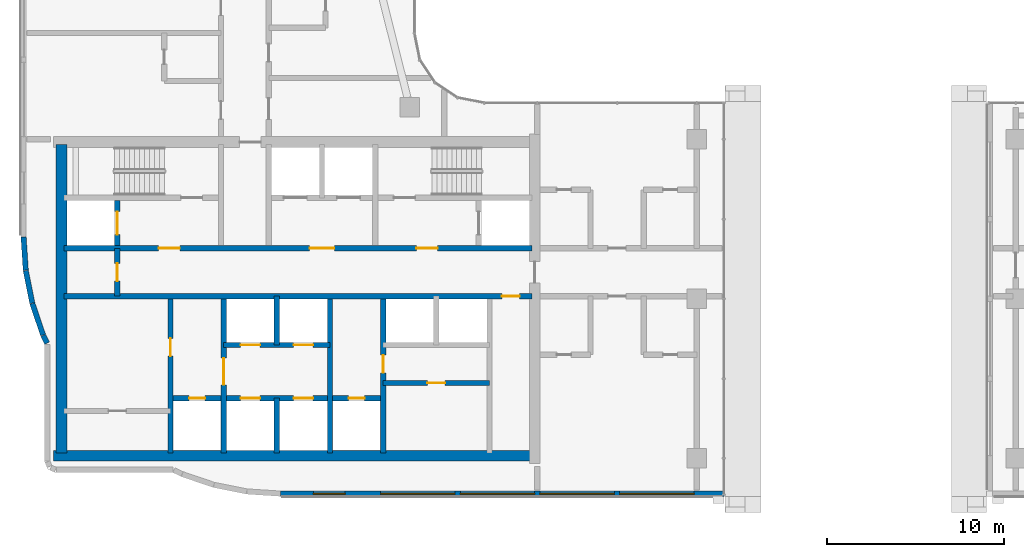
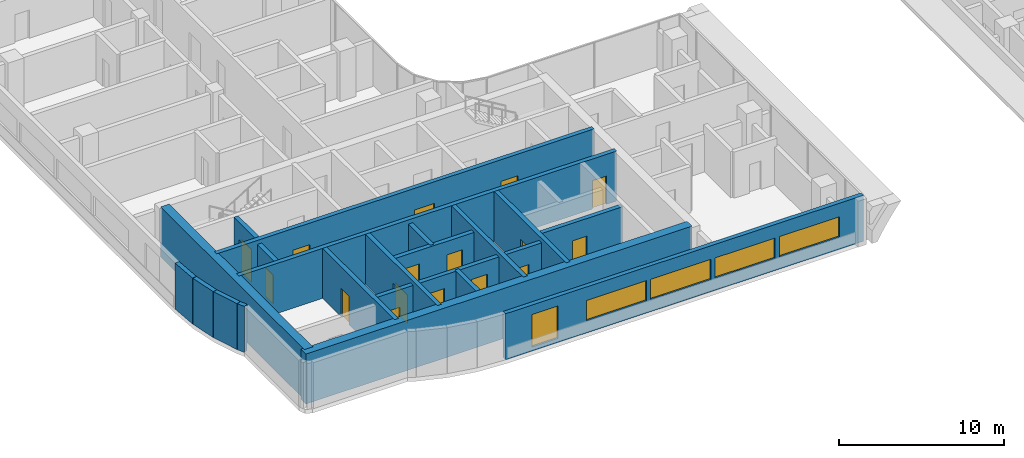
# One storey, part 10 of 23: 20 walls, 16 doors, 5 windows, 21 openings.
"""IFC4 building model written with IfcOpenShell, lengths in metres."""

from ifc_helpers import new_model, si_unit, direction, frame, frame_2d, origin, place, context, subcontext, project, spatial, rectangle, extrude, material, layer, layer_set, type_object, element, fill, save


model = new_model("IFC4")

# Units and contexts
model_context = context("Model", 3, precision=1e-05, world=origin(), true_north=direction((0.0, 1.0)))
body_context = subcontext(model_context, "Body", "Model", "MODEL_VIEW")
ifc_project = project(units=[si_unit("LENGTHUNIT", "METRE"), si_unit("AREAUNIT", "SQUARE_METRE"), si_unit("VOLUMEUNIT", "CUBIC_METRE"), si_unit("PLANEANGLEUNIT", "RADIAN"), si_unit("MASSUNIT", "GRAM", prefix="KILO")], contexts=[model_context])

# Site, building, storey
site_placement = place(None, origin())
site = spatial("IfcSite", under=ifc_project, at=site_placement, CompositionType="ELEMENT")
building_placement = place(site_placement, origin())
building = spatial("IfcBuilding", under=site, at=building_placement, Name="Ogive Portal Towers", CompositionType="ELEMENT")
storey_placement = place(building_placement, frame((0.0, 0.0, 175.5)))
storey = spatial("IfcBuildingStorey", under=building, at=storey_placement, Name="L43", CompositionType="ELEMENT", Elevation=175.5)

# Wall, opening, door
ifc_material_1 = material(Name="Concrete C60/75", Category="concrete")
ifc_layer_1 = layer(ifc_material_1, 0.300048828125)
ifc_layer_set_1 = layer_set([ifc_layer_1], Name="CORE WALL 300 C60")
wall_type_1 = type_object("IfcWallType", Name="CORE WALL 300 C60", PredefinedType="SHEAR", material=ifc_layer_set_1)
wall_1_placement = place(storey_placement, frame((37.800048828125, 21.800048828125, 0.0), z_axis=(0.0, 0.0, 1.0), x_axis=(0.0, 1.0, 0.0)))
wall_1 = element("IfcWall", 1, at=wall_1_placement, inside=storey, type_object=wall_type_1, Name="Core wall X1 L43", PredefinedType="SHEAR", context=body_context, shape_type="SweptSolid", body=[
    extrude(rectangle(XDim=8.699951171875, YDim=0.300048828125, at=frame_2d((4.35009765625, 0.0))), origin(), (0.0, 0.0, 1.0), 3.699951171875),
])
opening_1_placement = place(wall_1_placement, frame((5.47509765625, 0.0, 0.0)))
opening_1 = element("IfcOpeningElement", 2, at=opening_1_placement, cuts=wall_1, Name="Opening D18-020", PredefinedType="OPENING", context=body_context, shape_type="SweptSolid", body=[
    extrude(rectangle(XDim=1.0, YDim=2.10009765625, at=frame_2d((0.5, 1.050048828125))), frame((0.0, 0.16015625, 0.0), z_axis=(0.0, -1.0, 0.0), x_axis=(1.0, 0.0, 0.0)), (0.0, 0.0, 1.0), 0.320068359375),
])
ifc_material_2 = material(Name="Steel fire door", Category="steel")
door_type_1 = type_object("IfcDoorType", Name="DT-SWING-1000x2100-FD90S", OperationType="SINGLE_SWING_LEFT", PredefinedType="DOOR", material=ifc_material_2)
door_1_placement = place(opening_1_placement, origin())
door_1 = element("IfcDoor", 3, at=door_1_placement, inside=storey, type_object=door_type_1, Name="Door D18-020", OperationType="SINGLE_SWING_LEFT", OverallHeight=2.10009765625, OverallWidth=1.0, PredefinedType="DOOR", context=body_context, shape_type="SweptSolid", body=[
    extrude(rectangle(XDim=1.0, YDim=2.10009765625, at=frame_2d((0.5, 1.050048828125))), frame((0.0, 0.02490234375, 0.0), z_axis=(0.0, -1.0, 0.0), x_axis=(1.0, 0.0, 0.0)), (0.0, 0.0, 1.0), 0.050048828125),
])
fill(opening_1, door_1)

wall_2_placement = place(storey_placement, frame((40.800048828125, 21.800048828125, 0.0), z_axis=(0.0, 0.0, 1.0), x_axis=(0.0, 1.0, 0.0)))
wall_2 = element("IfcWall", 4, at=wall_2_placement, inside=storey, type_object=wall_type_1, Name="Core wall X2 L43", PredefinedType="SHEAR", context=body_context, shape_type="SweptSolid", body=[
    extrude(rectangle(XDim=8.699951171875, YDim=0.300048828125, at=frame_2d((4.35009765625, 0.0))), origin(), (0.0, 0.0, 1.0), 3.699951171875),
])
opening_2_placement = place(wall_2_placement, frame((3.85009765625, 0.0, 0.0)))
opening_2 = element("IfcOpeningElement", 5, at=opening_2_placement, cuts=wall_2, Name="Opening D18-001", PredefinedType="OPENING", context=body_context, shape_type="SweptSolid", body=[
    extrude(rectangle(XDim=1.5, YDim=2.10009765625, at=frame_2d((0.75, 1.050048828125))), frame((0.0, 0.16015625, 0.0), z_axis=(0.0, -1.0, 0.0), x_axis=(1.0, 0.0, 0.0)), (0.0, 0.0, 1.0), 0.320068359375),
])
door_type_2 = type_object("IfcDoorType", Name="DT-SWING-1500x2100-FD90S", OperationType="SINGLE_SWING_LEFT", PredefinedType="DOOR", material=ifc_material_2)
door_2_placement = place(opening_2_placement, origin())
door_2 = element("IfcDoor", 6, at=door_2_placement, inside=storey, type_object=door_type_2, Name="Door D18-001", OperationType="SINGLE_SWING_RIGHT", OverallHeight=2.10009765625, OverallWidth=1.5, PredefinedType="DOOR", context=body_context, shape_type="SweptSolid", body=[
    extrude(rectangle(XDim=1.5, YDim=2.10009765625, at=frame_2d((0.75, 1.050048828125))), frame((0.0, 0.02490234375, 0.0), z_axis=(0.0, -1.0, 0.0), x_axis=(1.0, 0.0, 0.0)), (0.0, 0.0, 1.0), 0.050048828125),
])
fill(opening_2, door_2)

# Wall
wall_3_placement = place(storey_placement, frame((46.800048828125, 21.800048828125, 0.0), z_axis=(0.0, 0.0, 1.0), x_axis=(0.0, 1.0, 0.0)))
element("IfcWall", 7, at=wall_3_placement, inside=storey, type_object=wall_type_1, Name="Core wall X3 L43", PredefinedType="SHEAR", context=body_context, shape_type="SweptSolid", body=[
    extrude(rectangle(XDim=8.699951171875, YDim=0.300048828125, at=frame_2d((4.35009765625, 0.0))), origin(), (0.0, 0.0, 1.0), 3.699951171875),
])

# Wall, opening, door
wall_4_placement = place(storey_placement, frame((49.800048828125, 21.800048828125, 0.0), z_axis=(0.0, 0.0, 1.0), x_axis=(0.0, 1.0, 0.0)))
wall_4 = element("IfcWall", 8, at=wall_4_placement, inside=storey, type_object=wall_type_1, Name="Core wall X4 L43", PredefinedType="SHEAR", context=body_context, shape_type="SweptSolid", body=[
    extrude(rectangle(XDim=8.699951171875, YDim=0.300048828125, at=frame_2d((4.35009765625, 0.0))), origin(), (0.0, 0.0, 1.0), 3.699951171875),
])
opening_3_placement = place(wall_4_placement, frame((4.52490234375, 0.0, 0.0)))
opening_3 = element("IfcOpeningElement", 9, at=opening_3_placement, cuts=wall_4, Name="Opening D18-022", PredefinedType="OPENING", context=body_context, shape_type="SweptSolid", body=[
    extrude(rectangle(XDim=1.0, YDim=2.10009765625, at=frame_2d((0.5, 1.050048828125))), frame((0.0, 0.16015625, 0.0), z_axis=(0.0, -1.0, 0.0), x_axis=(1.0, 0.0, 0.0)), (0.0, 0.0, 1.0), 0.320068359375),
])
door_3_placement = place(opening_3_placement, origin())
door_3 = element("IfcDoor", 10, at=door_3_placement, inside=storey, type_object=door_type_1, Name="Door D18-022", OperationType="SINGLE_SWING_LEFT", OverallHeight=2.10009765625, OverallWidth=1.0, PredefinedType="DOOR", context=body_context, shape_type="SweptSolid", body=[
    extrude(rectangle(XDim=1.0, YDim=2.10009765625, at=frame_2d((0.5, 1.050048828125))), frame((0.0, 0.02490234375, 0.0), z_axis=(0.0, -1.0, 0.0), x_axis=(1.0, 0.0, 0.0)), (0.0, 0.0, 1.0), 0.050048828125),
])
fill(opening_3, door_3)

wall_5_placement = place(storey_placement, frame((31.800048828125, 30.64990234375, 0.0), z_axis=(0.0, 0.0, 1.0), x_axis=(1.0, 0.0, 0.0)))
wall_5 = element("IfcWall", 11, at=wall_5_placement, inside=storey, type_object=wall_type_1, Name="Core wall Y1 L43", PredefinedType="SHEAR", context=body_context, shape_type="SweptSolid", body=[
    extrude(rectangle(XDim=26.39990234375, YDim=0.300048828125, at=frame_2d((13.199951171875, 0.0))), origin(), (0.0, 0.0, 1.0), 3.699951171875),
])
opening_4_placement = place(wall_5_placement, frame((24.699951171875, 0.0, 0.0)))
opening_4 = element("IfcOpeningElement", 12, at=opening_4_placement, cuts=wall_5, Name="Opening D18-009", PredefinedType="OPENING", context=body_context, shape_type="SweptSolid", body=[
    extrude(rectangle(XDim=1.0, YDim=2.10009765625, at=frame_2d((0.5, 1.050048828125))), frame((0.0, 0.16015625, 0.0), z_axis=(0.0, -1.0, 0.0), x_axis=(1.0, 0.0, 0.0)), (0.0, 0.0, 1.0), 0.320068359375),
])
door_4_placement = place(opening_4_placement, origin())
door_4 = element("IfcDoor", 13, at=door_4_placement, inside=storey, type_object=door_type_1, Name="Door D18-009", OperationType="SINGLE_SWING_LEFT", OverallHeight=2.10009765625, OverallWidth=1.0, PredefinedType="DOOR", context=body_context, shape_type="SweptSolid", body=[
    extrude(rectangle(XDim=1.0, YDim=2.10009765625, at=frame_2d((0.5, 1.050048828125))), frame((0.0, 0.02490234375, 0.0), z_axis=(0.0, -1.0, 0.0), x_axis=(1.0, 0.0, 0.0)), (0.0, 0.0, 1.0), 0.050048828125),
])
fill(opening_4, door_4)

# Wall, openings, doors
wall_6_placement = place(storey_placement, frame((31.800048828125, 33.35009765625, 0.0), z_axis=(0.0, 0.0, 1.0), x_axis=(1.0, 0.0, 0.0)))
wall_6 = element("IfcWall", 14, at=wall_6_placement, inside=storey, type_object=wall_type_1, Name="Core wall Y2 L43", PredefinedType="SHEAR", context=body_context, shape_type="SweptSolid", body=[
    extrude(rectangle(XDim=26.39990234375, YDim=0.300048828125, at=frame_2d((13.199951171875, 0.0))), origin(), (0.0, 0.0, 1.0), 3.699951171875),
])
opening_5_placement = place(wall_6_placement, frame((13.85009765625, 0.0, 0.0)))
opening_5 = element("IfcOpeningElement", 15, at=opening_5_placement, cuts=wall_6, Name="Opening D18-002", PredefinedType="OPENING", context=body_context, shape_type="SweptSolid", body=[
    extrude(rectangle(XDim=1.39990234375, YDim=2.10009765625, at=frame_2d((0.699951171875, 1.050048828125))), frame((0.0, 0.16015625, 0.0), z_axis=(0.0, -1.0, 0.0), x_axis=(1.0, 0.0, 0.0)), (0.0, 0.0, 1.0), 0.320068359375),
])
opening_6_placement = place(wall_6_placement, frame((5.324951171875, 0.0, 0.0)))
opening_6 = element("IfcOpeningElement", 16, at=opening_6_placement, cuts=wall_6, Name="Opening D18-003", PredefinedType="OPENING", context=body_context, shape_type="SweptSolid", body=[
    extrude(rectangle(XDim=1.199951171875, YDim=2.10009765625, at=frame_2d((0.60009765625, 1.050048828125))), frame((0.0, 0.16015625, 0.0), z_axis=(0.0, -1.0, 0.0), x_axis=(1.0, 0.0, 0.0)), (0.0, 0.0, 1.0), 0.320068359375),
])
opening_7_placement = place(wall_6_placement, frame((19.875, 0.0, 0.0)))
opening_7 = element("IfcOpeningElement", 17, at=opening_7_placement, cuts=wall_6, Name="Opening D18-004", PredefinedType="OPENING", context=body_context, shape_type="SweptSolid", body=[
    extrude(rectangle(XDim=1.199951171875, YDim=2.10009765625, at=frame_2d((0.60009765625, 1.050048828125))), frame((0.0, 0.16015625, 0.0), z_axis=(0.0, -1.0, 0.0), x_axis=(1.0, 0.0, 0.0)), (0.0, 0.0, 1.0), 0.320068359375),
])
door_type_3 = type_object("IfcDoorType", Name="DT-SWING-1200x2100-FD90S", OperationType="SINGLE_SWING_LEFT", PredefinedType="DOOR", material=ifc_material_2)
door_5_placement = place(opening_6_placement, origin())
door_5 = element("IfcDoor", 18, at=door_5_placement, inside=storey, type_object=door_type_3, Name="Door D18-003", OperationType="SINGLE_SWING_LEFT", OverallHeight=2.10009765625, OverallWidth=1.199951171875, PredefinedType="DOOR", context=body_context, shape_type="SweptSolid", body=[
    extrude(rectangle(XDim=1.199951171875, YDim=2.10009765625, at=frame_2d((0.60009765625, 1.050048828125))), frame((0.0, 0.02490234375, 0.0), z_axis=(0.0, -1.0, 0.0), x_axis=(1.0, 0.0, 0.0)), (0.0, 0.0, 1.0), 0.050048828125),
])
fill(opening_6, door_5)
door_6_placement = place(opening_7_placement, origin())
door_6 = element("IfcDoor", 19, at=door_6_placement, inside=storey, type_object=door_type_3, Name="Door D18-004", OperationType="SINGLE_SWING_RIGHT", OverallHeight=2.10009765625, OverallWidth=1.199951171875, PredefinedType="DOOR", context=body_context, shape_type="SweptSolid", body=[
    extrude(rectangle(XDim=1.199951171875, YDim=2.10009765625, at=frame_2d((0.60009765625, 1.050048828125))), frame((0.0, 0.02490234375, 0.0), z_axis=(0.0, -1.0, 0.0), x_axis=(1.0, 0.0, 0.0)), (0.0, 0.0, 1.0), 0.050048828125),
])
fill(opening_7, door_6)
door_type_4 = type_object("IfcDoorType", Name="DT-SWING-1400x2100-FD90S", OperationType="SINGLE_SWING_LEFT", PredefinedType="DOOR", material=ifc_material_2)
door_7_placement = place(opening_5_placement, origin())
door_7 = element("IfcDoor", 20, at=door_7_placement, inside=storey, type_object=door_type_4, Name="Door D18-002", OperationType="SINGLE_SWING_RIGHT", OverallHeight=2.10009765625, OverallWidth=1.39990234375, PredefinedType="DOOR", context=body_context, shape_type="SweptSolid", body=[
    extrude(rectangle(XDim=1.39990234375, YDim=2.10009765625, at=frame_2d((0.699951171875, 1.050048828125))), frame((0.0, 0.02490234375, 0.0), z_axis=(0.0, -1.0, 0.0), x_axis=(1.0, 0.0, 0.0)), (0.0, 0.0, 1.0), 0.050048828125),
])
fill(opening_5, door_7)

# Wall, opening, door
wall_7_placement = place(storey_placement, frame((34.800048828125, 33.5, 0.0), z_axis=(0.0, 0.0, 1.0), x_axis=(0.0, 1.0, 0.0)))
wall_7 = element("IfcWall", 21, at=wall_7_placement, inside=storey, type_object=wall_type_1, Name="Core wall X8 L43", PredefinedType="SHEAR", context=body_context, shape_type="SweptSolid", body=[
    extrude(rectangle(XDim=2.550048828125, YDim=0.300048828125, at=frame_2d((1.27490234375, 0.0))), origin(), (0.0, 0.0, 1.0), 3.699951171875),
])
opening_8_placement = place(wall_7_placement, frame((0.625, 0.0, 0.0)))
opening_8 = element("IfcOpeningElement", 22, at=opening_8_placement, cuts=wall_7, Name="Opening D18-018", PredefinedType="OPENING", context=body_context, shape_type="SweptSolid", body=[
    extrude(rectangle(XDim=1.300048828125, YDim=2.39990234375, at=frame_2d((0.64990234375, 1.199951171875))), frame((0.0, 0.16015625, 0.0), z_axis=(0.0, -1.0, 0.0), x_axis=(1.0, 0.0, 0.0)), (0.0, 0.0, 1.0), 0.320068359375),
])
ifc_material_3 = material(Name="Stainless steel", Category="steel")
door_type_5 = type_object("IfcDoorType", Name="DT-LD-1300x2400", OperationType="SLIDING_TO_LEFT", PredefinedType="DOOR", material=ifc_material_3)
door_8_placement = place(opening_8_placement, origin())
door_8 = element("IfcDoor", 23, at=door_8_placement, inside=storey, type_object=door_type_5, Name="Door D18-018", OperationType="SLIDING_TO_LEFT", OverallHeight=2.39990234375, OverallWidth=1.300048828125, PredefinedType="DOOR", context=body_context, shape_type="SweptSolid", body=[
    extrude(rectangle(XDim=1.300048828125, YDim=2.39990234375, at=frame_2d((0.64990234375, 1.199951171875))), frame((0.0, 0.02490234375, 0.0), z_axis=(0.0, -1.0, 0.0), x_axis=(1.0, 0.0, 0.0)), (0.0, 0.0, 1.0), 0.050048828125),
])
fill(opening_8, door_8)

# Walls
ifc_layer_2 = layer(ifc_material_1, 0.60009765625)
ifc_layer_set_2 = layer_set([ifc_layer_2], Name="CORE WALL 600 C60")
wall_type_2 = type_object("IfcWallType", Name="CORE WALL 600 C60", PredefinedType="SHEAR", material=ifc_layer_set_2)
wall_8_placement = place(storey_placement, frame((31.64990234375, 21.800048828125, 0.0), z_axis=(0.0, 0.0, 1.0), x_axis=(0.0, 1.0, 0.0)))
element("IfcWall", 24, at=wall_8_placement, inside=storey, type_object=wall_type_2, Name="Core wall W L43", PredefinedType="SHEAR", context=body_context, shape_type="SweptSolid", body=[
    extrude(rectangle(XDim=17.39990234375, YDim=0.60009765625, at=frame_2d((8.699951171875, 0.0))), origin(), (0.0, 0.0, 1.0), 3.699951171875),
])
wall_9_placement = place(storey_placement, frame((31.199951171875, 21.64990234375, 0.0), z_axis=(0.0, 0.0, 1.0), x_axis=(1.0, 0.0, 0.0)))
element("IfcWall", 25, at=wall_9_placement, inside=storey, type_object=wall_type_2, Name="Core wall S L43", PredefinedType="SHEAR", context=body_context, shape_type="SweptSolid", body=[
    extrude(rectangle(XDim=27.0, YDim=0.60009765625, at=frame_2d((13.5, 0.0))), origin(), (0.0, 0.0, 1.0), 3.699951171875),
])

# Wall, openings, windows
ifc_material_4 = material(Name="Limestone cladding on lightweight block wall", Category="masonry")
ifc_layer_3 = layer(ifc_material_4, 0.300048828125)
ifc_layer_set_3 = layer_set([ifc_layer_3], Name="EXTERNAL WALL 300 STONE")
wall_type_3 = type_object("IfcWallType", Name="EXTERNAL WALL 300 STONE", PredefinedType="SOLIDWALL", material=ifc_layer_set_3)
wall_10_placement = place(storey_placement, frame((44.009765625, 19.5048828125, 0.0), z_axis=(0.0, 0.0, 1.0), x_axis=(1.0, 0.0, 0.0)))
wall_10 = element("IfcWall", 26, at=wall_10_placement, inside=storey, type_object=wall_type_3, Name="A:L43:f08:r0:wall", PredefinedType="SOLIDWALL", context=body_context, shape_type="SweptSolid", body=[
    extrude(rectangle(XDim=25.01025390625, YDim=0.300048828125, at=frame_2d((12.505126953125, 0.0))), origin(), (0.0, 0.0, 1.0), 3.39990234375),
])
opening_9_placement = place(wall_10_placement, frame((1.844970703125, 0.0, 0.300048828125)))
opening_9 = element("IfcOpeningElement", 27, at=opening_9_placement, cuts=wall_10, Name="Opening WN10", PredefinedType="OPENING", context=body_context, shape_type="SweptSolid", body=[
    extrude(rectangle(XDim=1.800048828125, YDim=2.39990234375, at=frame_2d((0.89990234375, 1.199951171875))), frame((0.0, 0.16015625, 0.0), z_axis=(0.0, -1.0, 0.0), x_axis=(1.0, 0.0, 0.0)), (0.0, 0.0, 1.0), 0.320068359375),
])
opening_10_placement = place(wall_10_placement, frame((5.64013671875, 0.0, 0.89990234375)))
opening_10 = element("IfcOpeningElement", 28, at=opening_10_placement, cuts=wall_10, Name="Opening WN11", PredefinedType="OPENING", context=body_context, shape_type="SweptSolid", body=[
    extrude(rectangle(XDim=4.199951171875, YDim=1.5, at=frame_2d((2.10009765625, 0.75))), frame((0.0, 0.16015625, 0.0), z_axis=(0.0, -1.0, 0.0), x_axis=(1.0, 0.0, 0.0)), (0.0, 0.0, 1.0), 0.320068359375),
])
opening_11_placement = place(wall_10_placement, frame((10.14013671875, 0.0, 0.89990234375)))
opening_11 = element("IfcOpeningElement", 29, at=opening_11_placement, cuts=wall_10, Name="Opening WN11", PredefinedType="OPENING", context=body_context, shape_type="SweptSolid", body=[
    extrude(rectangle(XDim=4.199951171875, YDim=1.5, at=frame_2d((2.10009765625, 0.75))), frame((0.0, 0.16015625, 0.0), z_axis=(0.0, -1.0, 0.0), x_axis=(1.0, 0.0, 0.0)), (0.0, 0.0, 1.0), 0.320068359375),
])
opening_12_placement = place(wall_10_placement, frame((14.64013671875, 0.0, 0.89990234375)))
opening_12 = element("IfcOpeningElement", 30, at=opening_12_placement, cuts=wall_10, Name="Opening WN11", PredefinedType="OPENING", context=body_context, shape_type="SweptSolid", body=[
    extrude(rectangle(XDim=4.199951171875, YDim=1.5, at=frame_2d((2.10009765625, 0.75))), frame((0.0, 0.16015625, 0.0), z_axis=(0.0, -1.0, 0.0), x_axis=(1.0, 0.0, 0.0)), (0.0, 0.0, 1.0), 0.320068359375),
])
opening_13_placement = place(wall_10_placement, frame((19.14013671875, 0.0, 0.89990234375)))
opening_13 = element("IfcOpeningElement", 31, at=opening_13_placement, cuts=wall_10, Name="Opening WN11", PredefinedType="OPENING", context=body_context, shape_type="SweptSolid", body=[
    extrude(rectangle(XDim=4.199951171875, YDim=1.5, at=frame_2d((2.10009765625, 0.75))), frame((0.0, 0.16015625, 0.0), z_axis=(0.0, -1.0, 0.0), x_axis=(1.0, 0.0, 0.0)), (0.0, 0.0, 1.0), 0.320068359375),
])
ifc_material_5 = material(Name="Glass, clear low-iron insulated glazing", Category="glass")
window_type_1 = type_object("IfcWindowType", Name="WINDOW RIBBON 4200x1500", PartitioningType="TRIPLE_PANEL_VERTICAL", PredefinedType="WINDOW", material=ifc_material_5)
window_1_placement = place(opening_10_placement, origin())
window_1 = element("IfcWindow", 32, at=window_1_placement, inside=storey, type_object=window_type_1, Name="A:L43:f08:r0:w1", OverallHeight=1.5, OverallWidth=4.199951171875, PartitioningType="SINGLE_PANEL", PredefinedType="WINDOW", context=body_context, shape_type="SweptSolid", body=[
    extrude(rectangle(XDim=4.199951171875, YDim=1.5, at=frame_2d((2.10009765625, 0.75))), frame((0.0, 0.030029296875, 0.0), z_axis=(0.0, -1.0, 0.0), x_axis=(1.0, 0.0, 0.0)), (0.0, 0.0, 1.0), 0.06005859375),
])
fill(opening_10, window_1)
window_2_placement = place(opening_11_placement, origin())
window_2 = element("IfcWindow", 33, at=window_2_placement, inside=storey, type_object=window_type_1, Name="A:L43:f08:r0:w2", OverallHeight=1.5, OverallWidth=4.199951171875, PartitioningType="SINGLE_PANEL", PredefinedType="WINDOW", context=body_context, shape_type="SweptSolid", body=[
    extrude(rectangle(XDim=4.199951171875, YDim=1.5, at=frame_2d((2.10009765625, 0.75))), frame((0.0, 0.030029296875, 0.0), z_axis=(0.0, -1.0, 0.0), x_axis=(1.0, 0.0, 0.0)), (0.0, 0.0, 1.0), 0.06005859375),
])
fill(opening_11, window_2)
window_3_placement = place(opening_12_placement, origin())
window_3 = element("IfcWindow", 34, at=window_3_placement, inside=storey, type_object=window_type_1, Name="A:L43:f08:r0:w3", OverallHeight=1.5, OverallWidth=4.199951171875, PartitioningType="SINGLE_PANEL", PredefinedType="WINDOW", context=body_context, shape_type="SweptSolid", body=[
    extrude(rectangle(XDim=4.199951171875, YDim=1.5, at=frame_2d((2.10009765625, 0.75))), frame((0.0, 0.030029296875, 0.0), z_axis=(0.0, -1.0, 0.0), x_axis=(1.0, 0.0, 0.0)), (0.0, 0.0, 1.0), 0.06005859375),
])
fill(opening_12, window_3)
window_4_placement = place(opening_13_placement, origin())
window_4 = element("IfcWindow", 35, at=window_4_placement, inside=storey, type_object=window_type_1, Name="A:L43:f08:r0:w4", OverallHeight=1.5, OverallWidth=4.199951171875, PartitioningType="SINGLE_PANEL", PredefinedType="WINDOW", context=body_context, shape_type="SweptSolid", body=[
    extrude(rectangle(XDim=4.199951171875, YDim=1.5, at=frame_2d((2.10009765625, 0.75))), frame((0.0, 0.030029296875, 0.0), z_axis=(0.0, -1.0, 0.0), x_axis=(1.0, 0.0, 0.0)), (0.0, 0.0, 1.0), 0.06005859375),
])
fill(opening_13, window_4)
window_type_2 = type_object("IfcWindowType", Name="WINDOW SUITE CORNER 1800x2400", PartitioningType="DOUBLE_PANEL_VERTICAL", PredefinedType="WINDOW", material=ifc_material_5)
window_5_placement = place(opening_9_placement, origin())
window_5 = element("IfcWindow", 36, at=window_5_placement, inside=storey, type_object=window_type_2, Name="A:L43:f08:r0:w0", OverallHeight=2.39990234375, OverallWidth=1.800048828125, PartitioningType="SINGLE_PANEL", PredefinedType="WINDOW", context=body_context, shape_type="SweptSolid", body=[
    extrude(rectangle(XDim=1.800048828125, YDim=2.39990234375, at=frame_2d((0.89990234375, 1.199951171875))), frame((0.0, 0.030029296875, 0.0), z_axis=(0.0, -1.0, 0.0), x_axis=(1.0, 0.0, 0.0)), (0.0, 0.0, 1.0), 0.06005859375),
])
fill(opening_9, window_5)

# Walls
wall_11_placement = place(storey_placement, frame((29.50537109375, 34.0, 0.0), z_axis=(0.0, 0.0, 1.0), x_axis=(0.065367742534, -0.997861241975, 0.0)))
element("IfcWall", 37, at=wall_11_placement, inside=storey, type_object=wall_type_3, Name="A:L43:f23:r0:wall", PredefinedType="SOLIDWALL", context=body_context, shape_type="SweptSolid", body=[
    extrude(rectangle(XDim=1.88623046875, YDim=0.300048828125, at=frame_2d((0.943115234375, 0.0))), origin(), (0.0, 0.0, 1.0), 3.39990234375),
])
for number, where, z_axis, x_axis, name in (
    (38, (29.63134765625, 32.098388671875, 0.0), (0.0, 0.0, 1.0), (0.195040078842, -0.980795273054, 0.0), "A:L43:f24:r0:wall"),
    (39, (30.00244140625, 30.2392578125, 0.0), (0.0, 0.0, 1.0), (0.321375519312, -0.946951833826, 0.0), "A:L43:f25:r0:wall"),
):
    element("IfcWall", number, at=place(storey_placement, frame(where, z_axis=z_axis, x_axis=x_axis)), inside=storey, type_object=wall_type_3, Name=name, PredefinedType="SOLIDWALL", context=body_context, shape_type="SweptSolid", body=[
        extrude(rectangle(XDim=1.87646484375, YDim=0.300048828125, at=frame_2d((0.938232421875, 0.0))), origin(), (0.0, 0.0, 1.0), 3.39990234375),
    ])
wall_12_placement = place(storey_placement, frame((30.613037109375, 28.4443359375, 0.0), z_axis=(0.0, 0.0, 1.0), x_axis=(0.442136707291, -0.896947675211, 0.0)))
element("IfcWall", 40, at=wall_12_placement, inside=storey, type_object=wall_type_3, Name="A:L43:f26:r0:wall", PredefinedType="SOLIDWALL", context=body_context, shape_type="SweptSolid", body=[
    extrude(rectangle(XDim=0.500732421875, YDim=0.300048828125, at=frame_2d((0.25048828125, 0.0))), origin(), (0.0, 0.0, 1.0), 3.39990234375),
])

# Wall, opening, door
ifc_material_6 = material(Name="Gypsum board partition on steel studs", Category="steel")
ifc_layer_4 = layer(ifc_material_6, 0.300048828125)
ifc_layer_set_4 = layer_set([ifc_layer_4], Name="WT-PART-300")
wall_type_4 = type_object("IfcWallType", Name="WT-PART-300", PredefinedType="PARTITIONING", material=ifc_layer_set_4)
wall_13_placement = place(storey_placement, frame((49.800048828125, 25.75, 0.0), z_axis=(0.0, 0.0, 1.0), x_axis=(1.0, 0.0, 0.0)))
wall_13 = element("IfcWall", 41, at=wall_13_placement, inside=storey, type_object=wall_type_4, Name="Wall pw:003:L43", PredefinedType="PARTITIONING", context=body_context, shape_type="SweptSolid", body=[
    extrude(rectangle(XDim=6.0, YDim=0.300048828125, at=frame_2d((3.0, 0.0))), origin(), (0.0, 0.0, 1.0), 3.39990234375),
])
opening_14_placement = place(wall_13_placement, frame((2.5, 0.0, 0.0)))
opening_14 = element("IfcOpeningElement", 42, at=opening_14_placement, cuts=wall_13, Name="Opening D18-023", PredefinedType="OPENING", context=body_context, shape_type="SweptSolid", body=[
    extrude(rectangle(XDim=1.0, YDim=2.10009765625, at=frame_2d((0.5, 1.050048828125))), frame((0.0, 0.16015625, 0.0), z_axis=(0.0, -1.0, 0.0), x_axis=(1.0, 0.0, 0.0)), (0.0, 0.0, 1.0), 0.320068359375),
])
door_type_6 = type_object("IfcDoorType", Name="DT-SWING-1000x2100-FD60S", OperationType="SINGLE_SWING_LEFT", PredefinedType="DOOR", material=ifc_material_2)
door_9_placement = place(opening_14_placement, origin())
door_9 = element("IfcDoor", 43, at=door_9_placement, inside=storey, type_object=door_type_6, Name="Door D18-023", OperationType="SINGLE_SWING_RIGHT", OverallHeight=2.10009765625, OverallWidth=1.0, PredefinedType="DOOR", context=body_context, shape_type="SweptSolid", body=[
    extrude(rectangle(XDim=1.0, YDim=2.10009765625, at=frame_2d((0.5, 1.050048828125))), frame((0.0, 0.02490234375, 0.0), z_axis=(0.0, -1.0, 0.0), x_axis=(1.0, 0.0, 0.0)), (0.0, 0.0, 1.0), 0.050048828125),
])
fill(opening_14, door_9)

# Wall, openings, doors
ifc_material_7 = material(Name="Concrete C40/50", Category="concrete")
ifc_layer_5 = layer(ifc_material_7, 0.300048828125)
ifc_layer_set_5 = layer_set([ifc_layer_5], Name="WT-SHAFT-300")
wall_type_5 = type_object("IfcWallType", Name="WT-SHAFT-300", PredefinedType="SOLIDWALL", material=ifc_layer_set_5)
wall_14_placement = place(storey_placement, frame((37.800048828125, 24.89990234375, 0.0), z_axis=(0.0, 0.0, 1.0), x_axis=(1.0, 0.0, 0.0)))
wall_14 = element("IfcWall", 44, at=wall_14_placement, inside=storey, type_object=wall_type_5, Name="Wall pw:002:L43", PredefinedType="SOLIDWALL", context=body_context, shape_type="SweptSolid", body=[
    extrude(rectangle(XDim=12.0, YDim=0.300048828125, at=frame_2d((6.0, 0.0))), origin(), (0.0, 0.0, 1.0), 3.39990234375),
])
opening_15_placement = place(wall_14_placement, frame((1.050048828125, 0.0, 0.0)))
opening_15 = element("IfcOpeningElement", 45, at=opening_15_placement, cuts=wall_14, Name="Opening D18-007", PredefinedType="OPENING", context=body_context, shape_type="SweptSolid", body=[
    extrude(rectangle(XDim=0.89990234375, YDim=2.10009765625, at=frame_2d((0.449951171875, 1.050048828125))), frame((0.0, 0.16015625, 0.0), z_axis=(0.0, -1.0, 0.0), x_axis=(1.0, 0.0, 0.0)), (0.0, 0.0, 1.0), 0.320068359375),
])
opening_16_placement = place(wall_14_placement, frame((10.050048828125, 0.0, 0.0)))
opening_16 = element("IfcOpeningElement", 46, at=opening_16_placement, cuts=wall_14, Name="Opening D18-008", PredefinedType="OPENING", context=body_context, shape_type="SweptSolid", body=[
    extrude(rectangle(XDim=0.89990234375, YDim=2.10009765625, at=frame_2d((0.449951171875, 1.050048828125))), frame((0.0, 0.16015625, 0.0), z_axis=(0.0, -1.0, 0.0), x_axis=(1.0, 0.0, 0.0)), (0.0, 0.0, 1.0), 0.320068359375),
])
opening_17_placement = place(wall_14_placement, frame((3.949951171875, 0.0, 0.0)))
opening_17 = element("IfcOpeningElement", 47, at=opening_17_placement, cuts=wall_14, Name="Opening D18-012", PredefinedType="OPENING", context=body_context, shape_type="SweptSolid", body=[
    extrude(rectangle(XDim=1.10009765625, YDim=2.39990234375, at=frame_2d((0.550048828125, 1.199951171875))), frame((0.0, 0.16015625, 0.0), z_axis=(0.0, -1.0, 0.0), x_axis=(1.0, 0.0, 0.0)), (0.0, 0.0, 1.0), 0.320068359375),
])
opening_18_placement = place(wall_14_placement, frame((6.949951171875, 0.0, 0.0)))
opening_18 = element("IfcOpeningElement", 48, at=opening_18_placement, cuts=wall_14, Name="Opening D18-013", PredefinedType="OPENING", context=body_context, shape_type="SweptSolid", body=[
    extrude(rectangle(XDim=1.10009765625, YDim=2.39990234375, at=frame_2d((0.550048828125, 1.199951171875))), frame((0.0, 0.16015625, 0.0), z_axis=(0.0, -1.0, 0.0), x_axis=(1.0, 0.0, 0.0)), (0.0, 0.0, 1.0), 0.320068359375),
])
door_type_7 = type_object("IfcDoorType", Name="DT-LD-1100x2400", OperationType="SLIDING_TO_LEFT", PredefinedType="DOOR", material=ifc_material_3)
door_10_placement = place(opening_17_placement, origin())
door_10 = element("IfcDoor", 49, at=door_10_placement, inside=storey, type_object=door_type_7, Name="Door D18-012", OperationType="SLIDING_TO_LEFT", OverallHeight=2.39990234375, OverallWidth=1.10009765625, PredefinedType="DOOR", context=body_context, shape_type="SweptSolid", body=[
    extrude(rectangle(XDim=1.10009765625, YDim=2.39990234375, at=frame_2d((0.550048828125, 1.199951171875))), frame((0.0, 0.02490234375, 0.0), z_axis=(0.0, -1.0, 0.0), x_axis=(1.0, 0.0, 0.0)), (0.0, 0.0, 1.0), 0.050048828125),
])
fill(opening_17, door_10)
door_11_placement = place(opening_18_placement, origin())
door_11 = element("IfcDoor", 50, at=door_11_placement, inside=storey, type_object=door_type_7, Name="Door D18-013", OperationType="SLIDING_TO_LEFT", OverallHeight=2.39990234375, OverallWidth=1.10009765625, PredefinedType="DOOR", context=body_context, shape_type="SweptSolid", body=[
    extrude(rectangle(XDim=1.10009765625, YDim=2.39990234375, at=frame_2d((0.550048828125, 1.199951171875))), frame((0.0, 0.02490234375, 0.0), z_axis=(0.0, -1.0, 0.0), x_axis=(1.0, 0.0, 0.0)), (0.0, 0.0, 1.0), 0.050048828125),
])
fill(opening_18, door_11)
door_type_8 = type_object("IfcDoorType", Name="DT-SWING-900x2100-FD90S", OperationType="SINGLE_SWING_LEFT", PredefinedType="DOOR", material=ifc_material_2)
door_12_placement = place(opening_15_placement, origin())
door_12 = element("IfcDoor", 51, at=door_12_placement, inside=storey, type_object=door_type_8, Name="Riser access door D18-007", OperationType="SINGLE_SWING_LEFT", OverallHeight=2.10009765625, OverallWidth=0.89990234375, PredefinedType="DOOR", context=body_context, shape_type="SweptSolid", body=[
    extrude(rectangle(XDim=0.89990234375, YDim=2.10009765625, at=frame_2d((0.449951171875, 1.050048828125))), frame((0.0, 0.02490234375, 0.0), z_axis=(0.0, -1.0, 0.0), x_axis=(1.0, 0.0, 0.0)), (0.0, 0.0, 1.0), 0.050048828125),
])
fill(opening_15, door_12)
door_13_placement = place(opening_16_placement, origin())
door_13 = element("IfcDoor", 52, at=door_13_placement, inside=storey, type_object=door_type_8, Name="Riser access door D18-008", OperationType="SINGLE_SWING_RIGHT", OverallHeight=2.10009765625, OverallWidth=0.89990234375, PredefinedType="DOOR", context=body_context, shape_type="SweptSolid", body=[
    extrude(rectangle(XDim=0.89990234375, YDim=2.10009765625, at=frame_2d((0.449951171875, 1.050048828125))), frame((0.0, 0.02490234375, 0.0), z_axis=(0.0, -1.0, 0.0), x_axis=(1.0, 0.0, 0.0)), (0.0, 0.0, 1.0), 0.050048828125),
])
fill(opening_16, door_13)

wall_15_placement = place(storey_placement, frame((40.800048828125, 27.89990234375, 0.0), z_axis=(0.0, 0.0, 1.0), x_axis=(1.0, 0.0, 0.0)))
wall_15 = element("IfcWall", 53, at=wall_15_placement, inside=storey, type_object=wall_type_5, Name="Wall pw:004:L43", PredefinedType="SOLIDWALL", context=body_context, shape_type="SweptSolid", body=[
    extrude(rectangle(XDim=6.0, YDim=0.300048828125, at=frame_2d((3.0, 0.0))), origin(), (0.0, 0.0, 1.0), 3.39990234375),
])
opening_19_placement = place(wall_15_placement, frame((0.949951171875, 0.0, 0.0)))
opening_19 = element("IfcOpeningElement", 54, at=opening_19_placement, cuts=wall_15, Name="Opening D18-014", PredefinedType="OPENING", context=body_context, shape_type="SweptSolid", body=[
    extrude(rectangle(XDim=1.10009765625, YDim=2.39990234375, at=frame_2d((0.550048828125, 1.199951171875))), frame((0.0, 0.16015625, 0.0), z_axis=(0.0, -1.0, 0.0), x_axis=(1.0, 0.0, 0.0)), (0.0, 0.0, 1.0), 0.320068359375),
])
opening_20_placement = place(wall_15_placement, frame((3.949951171875, 0.0, 0.0)))
opening_20 = element("IfcOpeningElement", 55, at=opening_20_placement, cuts=wall_15, Name="Opening D18-015", PredefinedType="OPENING", context=body_context, shape_type="SweptSolid", body=[
    extrude(rectangle(XDim=1.10009765625, YDim=2.39990234375, at=frame_2d((0.550048828125, 1.199951171875))), frame((0.0, 0.16015625, 0.0), z_axis=(0.0, -1.0, 0.0), x_axis=(1.0, 0.0, 0.0)), (0.0, 0.0, 1.0), 0.320068359375),
])
door_14_placement = place(opening_19_placement, origin())
door_14 = element("IfcDoor", 56, at=door_14_placement, inside=storey, type_object=door_type_7, Name="Door D18-014", OperationType="SLIDING_TO_LEFT", OverallHeight=2.39990234375, OverallWidth=1.10009765625, PredefinedType="DOOR", context=body_context, shape_type="SweptSolid", body=[
    extrude(rectangle(XDim=1.10009765625, YDim=2.39990234375, at=frame_2d((0.550048828125, 1.199951171875))), frame((0.0, 0.02490234375, 0.0), z_axis=(0.0, -1.0, 0.0), x_axis=(1.0, 0.0, 0.0)), (0.0, 0.0, 1.0), 0.050048828125),
])
fill(opening_19, door_14)
door_15_placement = place(opening_20_placement, origin())
door_15 = element("IfcDoor", 57, at=door_15_placement, inside=storey, type_object=door_type_7, Name="Door D18-015", OperationType="SLIDING_TO_LEFT", OverallHeight=2.39990234375, OverallWidth=1.10009765625, PredefinedType="DOOR", context=body_context, shape_type="SweptSolid", body=[
    extrude(rectangle(XDim=1.10009765625, YDim=2.39990234375, at=frame_2d((0.550048828125, 1.199951171875))), frame((0.0, 0.02490234375, 0.0), z_axis=(0.0, -1.0, 0.0), x_axis=(1.0, 0.0, 0.0)), (0.0, 0.0, 1.0), 0.050048828125),
])
fill(opening_20, door_15)

# Wall, opening, door
wall_16_placement = place(storey_placement, frame((34.800048828125, 30.64990234375, 0.0), z_axis=(0.0, 0.0, 1.0), x_axis=(0.0, 1.0, 0.0)))
wall_16 = element("IfcWall", 58, at=wall_16_placement, inside=storey, type_object=wall_type_5, Name="Wall pw:006:L43", PredefinedType="SOLIDWALL", context=body_context, shape_type="SweptSolid", body=[
    extrude(rectangle(XDim=2.7001953125, YDim=0.300048828125, at=frame_2d((1.35009765625, 0.0))), origin(), (0.0, 0.0, 1.0), 3.39990234375),
])
opening_21_placement = place(wall_16_placement, frame((0.85009765625, 0.0, 0.0)))
opening_21 = element("IfcOpeningElement", 59, at=opening_21_placement, cuts=wall_16, Name="Opening D18-024", PredefinedType="OPENING", context=body_context, shape_type="SweptSolid", body=[
    extrude(rectangle(XDim=1.0, YDim=2.10009765625, at=frame_2d((0.5, 1.050048828125))), frame((0.0, 0.16015625, 0.0), z_axis=(0.0, -1.0, 0.0), x_axis=(1.0, 0.0, 0.0)), (0.0, 0.0, 1.0), 0.320068359375),
])
door_16_placement = place(opening_21_placement, origin())
door_16 = element("IfcDoor", 60, at=door_16_placement, inside=storey, type_object=door_type_1, Name="Door D18-024", OperationType="SINGLE_SWING_LEFT", OverallHeight=2.10009765625, OverallWidth=1.0, PredefinedType="DOOR", context=body_context, shape_type="SweptSolid", body=[
    extrude(rectangle(XDim=1.0, YDim=2.10009765625, at=frame_2d((0.5, 1.050048828125))), frame((0.0, 0.02490234375, 0.0), z_axis=(0.0, -1.0, 0.0), x_axis=(1.0, 0.0, 0.0)), (0.0, 0.0, 1.0), 0.050048828125),
])
fill(opening_21, door_16)

# Walls
wall_17_placement = place(storey_placement, frame((43.800048828125, 21.800048828125, 0.0), z_axis=(0.0, 0.0, 1.0), x_axis=(0.0, 1.0, 0.0)))
element("IfcWall", 61, at=wall_17_placement, inside=storey, type_object=wall_type_5, Name="Wall pw:007:L43", PredefinedType="SOLIDWALL", context=body_context, shape_type="SweptSolid", body=[
    extrude(rectangle(XDim=3.099853515625, YDim=0.300048828125, at=frame_2d((1.5498046875, 0.0))), origin(), (0.0, 0.0, 1.0), 3.39990234375),
])
wall_18_placement = place(storey_placement, frame((43.800048828125, 27.89990234375, 0.0), z_axis=(0.0, 0.0, 1.0), x_axis=(0.0, 1.0, 0.0)))
element("IfcWall", 62, at=wall_18_placement, inside=storey, type_object=wall_type_5, Name="Wall pw:008:L43", PredefinedType="SOLIDWALL", context=body_context, shape_type="SweptSolid", body=[
    extrude(rectangle(XDim=2.75, YDim=0.300048828125, at=frame_2d((1.375, 0.0))), origin(), (0.0, 0.0, 1.0), 3.39990234375),
])

save(model, "model.ifc")
